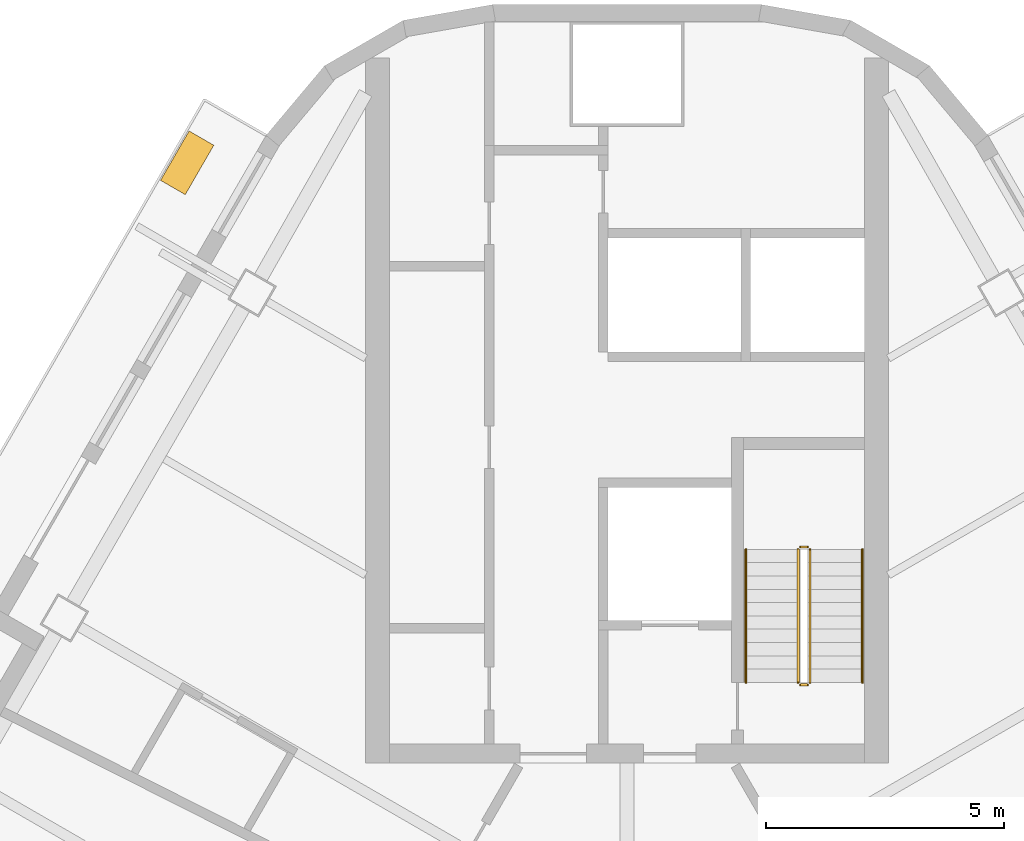
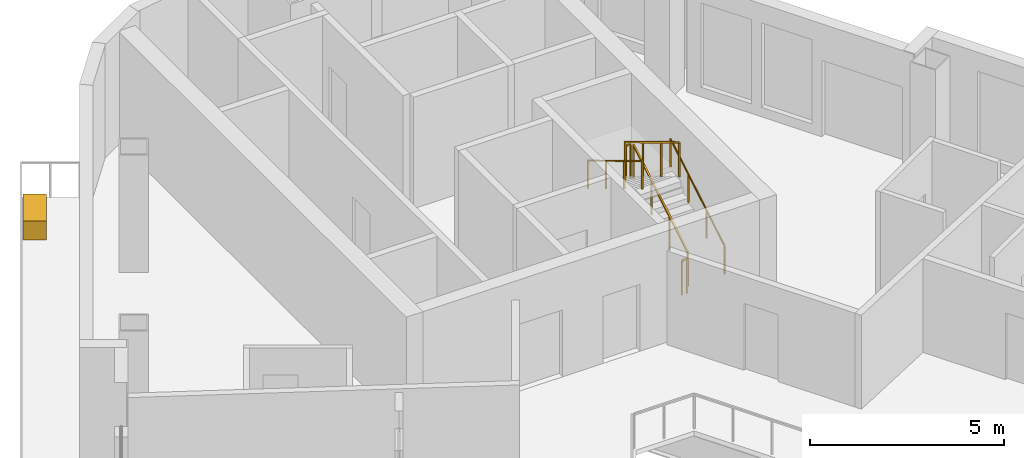
# One storey, part 14 of 14: 6 railings, 1 covering.
"""IFC4 building model written with IfcOpenShell, lengths in metres."""

from ifc_helpers import new_model, si_unit, direction, frame, origin, origin_2d, place, context, subcontext, project, spatial, rectangle, circle, extrude, material, type_object, element, save


model = new_model("IFC4")

# Units and contexts
model_context = context("Model", 3, precision=1e-05, world=origin(), true_north=direction((0.0, 1.0)))
body_context = subcontext(model_context, "Body", "Model", "MODEL_VIEW")
ifc_project = project(units=[si_unit("LENGTHUNIT", "METRE"), si_unit("AREAUNIT", "SQUARE_METRE"), si_unit("VOLUMEUNIT", "CUBIC_METRE"), si_unit("PLANEANGLEUNIT", "RADIAN"), si_unit("MASSUNIT", "GRAM", prefix="KILO")], contexts=[model_context])

# Site, building, storey
site_placement = place(None, origin())
site = spatial("IfcSite", under=ifc_project, at=site_placement, CompositionType="ELEMENT")
building_placement = place(site_placement, origin())
building = spatial("IfcBuilding", under=site, at=building_placement, Name="Apuvela Tower Hotel", CompositionType="ELEMENT")
storey_placement = place(building_placement, frame((0.0, 0.0, 205.800048828125)))
storey = spatial("IfcBuildingStorey", under=building, at=storey_placement, Name="L50", CompositionType="ELEMENT", Elevation=205.800048828125)

# Railings
ifc_material_1 = material(Name="Steel S275 balustrade", Category="steel")
railing_type_1 = type_object("IfcRailingType", Name="COR-GUARD-1100", PredefinedType="GUARDRAIL", material=ifc_material_1)
railing_1_placement = place(storey_placement, frame((3.85009765625, 14.60009765625, 0.168212890625)))
element("IfcRailing", 1, at=railing_1_placement, inside=storey, type_object=railing_type_1, Name="L50 ST1 stair guard 1", PredefinedType="GUARDRAIL", context=body_context, shape_type="SweptSolid", body=[
    extrude(rectangle(XDim=0.048095703125, YDim=0.048095703125, at=origin_2d()), frame((0.0, 0.0, 1.076171875), z_axis=(0.0, 0.857255387014, 0.514891446264), x_axis=(-1.0, 0.0, 0.0)), (0.0, 0.0, 1.0), 3.26611328125),
    extrude(rectangle(XDim=0.0419921875, YDim=0.0419921875, at=origin_2d()), origin(), (0.0, 0.0, 1.0), 1.052001953125),
    extrude(rectangle(XDim=0.0419921875, YDim=0.0419921875, at=origin_2d()), frame((0.0, 0.933349609375, 0.560546875)), (0.0, 0.0, 1.0), 1.052001953125),
    extrude(rectangle(XDim=0.0419921875, YDim=0.0419921875, at=origin_2d()), frame((0.0, 1.866455078125, 1.12109375)), (0.0, 0.0, 1.0), 1.052001953125),
    extrude(rectangle(XDim=0.0419921875, YDim=0.0419921875, at=origin_2d()), frame((0.0, 2.7998046875, 1.681640625)), (0.0, 0.0, 1.0), 1.052001953125),
])
railing_2_placement = place(storey_placement, frame((3.800048828125, 17.449951171875, 1.849853515625)))
element("IfcRailing", 2, at=railing_2_placement, inside=storey, type_object=railing_type_1, Name="L50 ST1 stair guard 2", PredefinedType="GUARDRAIL", context=body_context, shape_type="SweptSolid", body=[
    extrude(rectangle(XDim=0.048095703125, YDim=0.048095703125, at=origin_2d()), frame((0.0, 0.0, 1.076171875), z_axis=(-1.0, 0.0, 0.0), x_axis=(0.0, -1.0, 0.0)), (0.0, 0.0, 1.0), 0.150146484375),
    extrude(rectangle(XDim=0.0419921875, YDim=0.0419921875, at=origin_2d()), origin(), (0.0, 0.0, 1.0), 1.052001953125),
    extrude(rectangle(XDim=0.0419921875, YDim=0.0419921875, at=origin_2d()), frame((-0.150146484375, 0.0, 0.0)), (0.0, 0.0, 1.0), 1.052001953125),
])
railing_3_placement = place(storey_placement, frame((3.60009765625, 17.39990234375, 2.01806640625)))
element("IfcRailing", 3, at=railing_3_placement, inside=storey, type_object=railing_type_1, Name="L50 ST1 stair guard 3", PredefinedType="GUARDRAIL", context=body_context, shape_type="SweptSolid", body=[
    extrude(rectangle(XDim=0.048095703125, YDim=0.048095703125, at=origin_2d()), frame((0.0, 0.0, 1.076171875), z_axis=(0.0, -0.857222391501, 0.514946377315), x_axis=(1.0, 0.0, 0.0)), (0.0, 0.0, 1.0), 3.26611328125),
    extrude(rectangle(XDim=0.0419921875, YDim=0.0419921875, at=origin_2d()), origin(), (0.0, 0.0, 1.0), 1.052001953125),
    extrude(rectangle(XDim=0.0419921875, YDim=0.0419921875, at=origin_2d()), frame((0.0, -0.933349609375, 0.560546875)), (0.0, 0.0, 1.0), 1.052001953125),
    extrude(rectangle(XDim=0.0419921875, YDim=0.0419921875, at=origin_2d()), frame((0.0, -1.866455078125, 1.121337890625)), (0.0, 0.0, 1.0), 1.052001953125),
    extrude(rectangle(XDim=0.0419921875, YDim=0.0419921875, at=origin_2d()), frame((0.0, -2.7998046875, 1.681884765625)), (0.0, 0.0, 1.0), 1.052001953125),
])
railing_4_placement = place(storey_placement, frame((3.800048828125, 14.550048828125, 0.0)))
element("IfcRailing", 4, at=railing_4_placement, inside=storey, type_object=railing_type_1, Name="L50 ST1 stair guard 4", PredefinedType="GUARDRAIL", context=body_context, shape_type="SweptSolid", body=[
    extrude(rectangle(XDim=0.048095703125, YDim=0.048095703125, at=origin_2d()), frame((0.0, 0.0, 1.076171875), z_axis=(-1.0, 0.0, 0.0), x_axis=(0.0, -1.0, 0.0)), (0.0, 0.0, 1.0), 0.150146484375),
    extrude(rectangle(XDim=0.0419921875, YDim=0.0419921875, at=origin_2d()), origin(), (0.0, 0.0, 1.0), 1.052001953125),
    extrude(rectangle(XDim=0.0419921875, YDim=0.0419921875, at=origin_2d()), frame((-0.150146484375, 0.0, 0.0)), (0.0, 0.0, 1.0), 1.052001953125),
])
ifc_material_2 = material(Name="Stainless steel 316 handrail", Category="steel")
railing_type_2 = type_object("IfcRailingType", Name="COR-HANDRAIL-900", PredefinedType="HANDRAIL", material=ifc_material_2)
railing_5_placement = place(storey_placement, frame((4.949951171875, 14.60009765625, 0.168212890625)))
element("IfcRailing", 5, at=railing_5_placement, inside=storey, type_object=railing_type_2, Name="L50 ST1 stair handrail 1", PredefinedType="HANDRAIL", context=body_context, shape_type="SweptSolid", body=[
    extrude(circle(Radius=0.02392578125, at=origin_2d()), frame((0.0, 0.0, 0.8759765625), z_axis=(0.0, 0.857255387014, 0.514891446264), x_axis=(-1.0, 0.0, 0.0)), (0.0, 0.0, 1.0), 3.26611328125),
    extrude(rectangle(XDim=0.0419921875, YDim=0.0419921875, at=origin_2d()), origin(), (0.0, 0.0, 1.0), 0.851806640625),
    extrude(rectangle(XDim=0.0419921875, YDim=0.0419921875, at=origin_2d()), frame((0.0, 0.933349609375, 0.560546875)), (0.0, 0.0, 1.0), 0.851806640625),
    extrude(rectangle(XDim=0.0419921875, YDim=0.0419921875, at=origin_2d()), frame((0.0, 1.866455078125, 1.12109375)), (0.0, 0.0, 1.0), 0.851806640625),
    extrude(rectangle(XDim=0.0419921875, YDim=0.0419921875, at=origin_2d()), frame((0.0, 2.7998046875, 1.681640625)), (0.0, 0.0, 1.0), 0.851806640625),
])
railing_6_placement = place(storey_placement, frame((2.5, 17.39990234375, 2.01806640625)))
element("IfcRailing", 6, at=railing_6_placement, inside=storey, type_object=railing_type_2, Name="L50 ST1 stair handrail 2", PredefinedType="HANDRAIL", context=body_context, shape_type="SweptSolid", body=[
    extrude(circle(Radius=0.02392578125, at=origin_2d()), frame((0.0, 0.0, 0.8759765625), z_axis=(0.0, -0.857222391501, 0.514946377315), x_axis=(1.0, 0.0, 0.0)), (0.0, 0.0, 1.0), 3.26611328125),
    extrude(rectangle(XDim=0.0419921875, YDim=0.0419921875, at=origin_2d()), origin(), (0.0, 0.0, 1.0), 0.851806640625),
    extrude(rectangle(XDim=0.0419921875, YDim=0.0419921875, at=origin_2d()), frame((0.0, -0.933349609375, 0.560546875)), (0.0, 0.0, 1.0), 0.851806640625),
    extrude(rectangle(XDim=0.0419921875, YDim=0.0419921875, at=origin_2d()), frame((0.0, -1.866455078125, 1.121337890625)), (0.0, 0.0, 1.0), 0.851806640625),
    extrude(rectangle(XDim=0.0419921875, YDim=0.0419921875, at=origin_2d()), frame((0.0, -2.7998046875, 1.681884765625)), (0.0, 0.0, 1.0), 0.851806640625),
])

# Covering
ifc_material_3 = material(Name="Planting substrate and soil, planted")
covering_type = type_object("IfcCoveringType", Name="ENV-PLANTER-1200x600", PredefinedType="USERDEFINED", material=ifc_material_3)
covering_placement = place(storey_placement, frame((-9.253662109375, 25.5322265625, 0.0), z_axis=(0.0, 0.0, 1.0), x_axis=(-0.5, -0.866025403784, 0.0)))
element("IfcCovering", 7, at=covering_placement, inside=storey, type_object=covering_type, Name="Planter NW4", ObjectType="PLANTER", PredefinedType="USERDEFINED", context=body_context, shape_type="SweptSolid", body=[
    extrude(rectangle(XDim=1.199951171875, YDim=0.60009765625, at=origin_2d()), origin(), (0.0, 0.0, 1.0), 0.60009765625),
])

save(model, "model.ifc")
